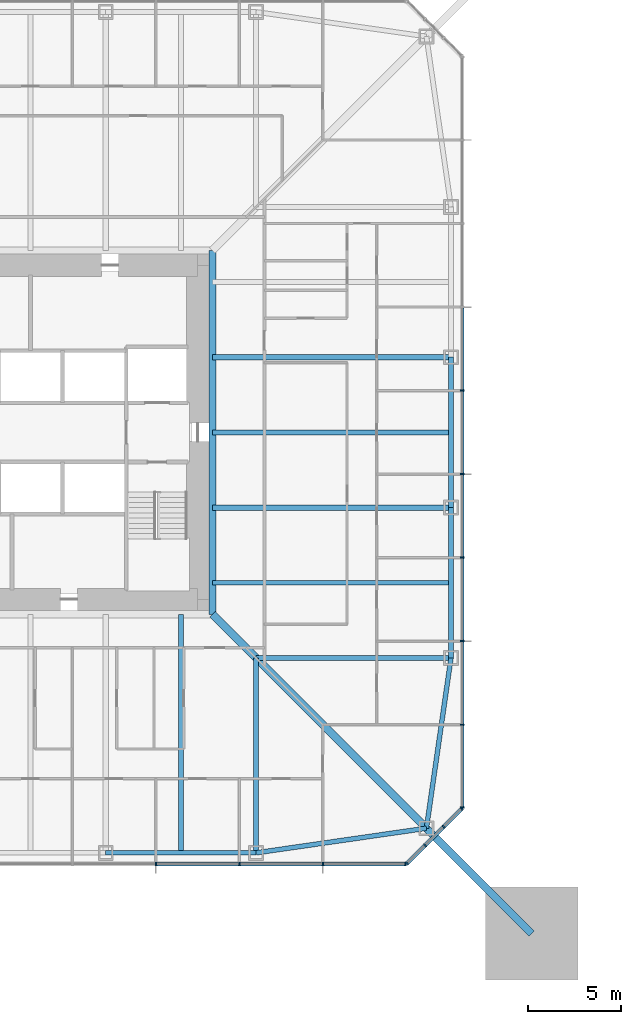
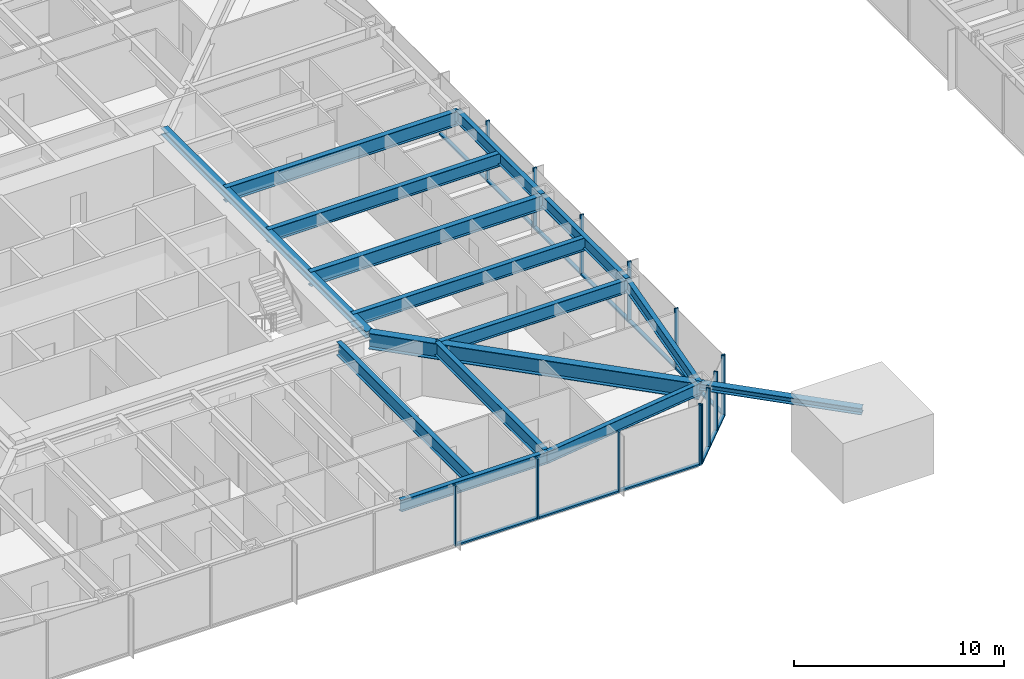
# One storey, part 5 of 26: 27 members, 14 beams, 3 elements without a shape of their own.
"""IFC4 building model written with IfcOpenShell, lengths in metres."""

from ifc_helpers import new_model, si_unit, direction, frame, origin, origin_2d, place, context, subcontext, project, spatial, rectangle, i_section, extrude, material, material_profile, profile_set, type_object, element, aggregate, save


model = new_model("IFC4")

# Units and contexts
model_context = context("Model", 3, precision=1e-05, world=origin(), true_north=direction((0.0, 1.0)))
body_context = subcontext(model_context, "Body", "Model", "MODEL_VIEW")
ifc_project = project(units=[si_unit("LENGTHUNIT", "METRE"), si_unit("AREAUNIT", "SQUARE_METRE"), si_unit("VOLUMEUNIT", "CUBIC_METRE"), si_unit("PLANEANGLEUNIT", "RADIAN"), si_unit("MASSUNIT", "GRAM", prefix="KILO")], contexts=[model_context])

# Site, building, storey
site_placement = place(None, origin())
site = spatial("IfcSite", under=ifc_project, at=site_placement, CompositionType="ELEMENT")
building_placement = place(site_placement, origin())
building = spatial("IfcBuilding", under=site, at=building_placement, Name="Iwan Alto Co-Living Towers", CompositionType="ELEMENT")
storey_placement = place(building_placement, frame((0.0, 0.0, 67.5)))
storey = spatial("IfcBuildingStorey", under=building, at=storey_placement, Name="L18", CompositionType="ELEMENT", Elevation=67.5)

# Curtain wall, members
ifc_material_1 = material(Name="Bronze aluminium unitised frame", Category="aluminium")
curtain_wall_type_1 = type_object("IfcCurtainWallType", Name="CURTAIN WALL CW-A", PredefinedType="NOTDEFINED", material=ifc_material_1)
curtain_wall_1_placement = place(storey_placement, origin())
curtain_wall_1 = element("IfcCurtainWall", 1, at=curtain_wall_1_placement, inside=storey, type_object=curtain_wall_type_1, Name="T1 curtain wall S L18", PredefinedType="NOTDEFINED")
ifc_material_2 = material(Name="Aluminium 6063-T6 bronze anodised", Category="aluminium")
ifc_material_profile_1 = material_profile(ifc_material_2, rectangle(XDim=0.199951171875, YDim=0.080078125, at=origin_2d()), Name="AL 80X200")
ifc_profile_set_1 = profile_set([ifc_material_profile_1], Name="Aluminium 6063-T6 bronze anodised")
member_type_1 = type_object("IfcMemberType", Name="CW-A MULLION 80X200", PredefinedType="MULLION", material=ifc_profile_set_1)
member_1_placement = place(storey_placement, frame((6.75, -23.25, 0.0), z_axis=(0.0, 0.0, 1.0), x_axis=(0.0, 1.0, 0.0)))
member_1 = element("IfcMember", 2, at=member_1_placement, type_object=member_type_1, Name="CW-A mullion 7", PredefinedType="MULLION", context=body_context, shape_type="SweptSolid", body=[
    extrude(rectangle(XDim=0.199951171875, YDim=0.080078125, at=origin_2d()), origin(), (0.0, 0.0, 1.0), 3.5),
])
member_2_placement = place(storey_placement, frame((11.25, -23.25, 0.0), z_axis=(0.0, 0.0, 1.0), x_axis=(0.0, 1.0, 0.0)))
member_2 = element("IfcMember", 3, at=member_2_placement, type_object=member_type_1, Name="CW-A mullion 8", PredefinedType="MULLION", context=body_context, shape_type="SweptSolid", body=[
    extrude(rectangle(XDim=0.199951171875, YDim=0.080078125, at=origin_2d()), origin(), (0.0, 0.0, 1.0), 3.5),
])
member_3_placement = place(storey_placement, frame((15.75, -23.25, 0.0), z_axis=(0.0, 0.0, 1.0), x_axis=(0.0, 1.0, 0.0)))
member_3 = element("IfcMember", 4, at=member_3_placement, type_object=member_type_1, Name="CW-A mullion 9", PredefinedType="MULLION", context=body_context, shape_type="SweptSolid", body=[
    extrude(rectangle(XDim=0.199951171875, YDim=0.080078125, at=origin_2d()), origin(), (0.0, 0.0, 1.0), 3.5),
])
member_4_placement = place(storey_placement, frame((20.2099609375, -23.25, 0.0), z_axis=(0.0, 0.0, 1.0), x_axis=(0.0, 1.0, 0.0)))
member_4 = element("IfcMember", 5, at=member_4_placement, type_object=member_type_1, Name="CW-A mullion 10", PredefinedType="MULLION", context=body_context, shape_type="SweptSolid", body=[
    extrude(rectangle(XDim=0.199951171875, YDim=0.080078125, at=origin_2d()), origin(), (0.0, 0.0, 1.0), 3.5),
])

curtain_wall_2_placement = place(storey_placement, origin())
curtain_wall_2 = element("IfcCurtainWall", 6, at=curtain_wall_2_placement, inside=storey, type_object=curtain_wall_type_1, Name="T1 curtain wall E L18", PredefinedType="NOTDEFINED")
member_5_placement = place(storey_placement, frame((23.25, -20.2099609375, 0.0), z_axis=(0.0, 0.0, 1.0), x_axis=(-1.0, 0.0, 0.0)))
member_5 = element("IfcMember", 7, at=member_5_placement, type_object=member_type_1, Name="CW-A mullion 1", PredefinedType="MULLION", context=body_context, shape_type="SweptSolid", body=[
    extrude(rectangle(XDim=0.199951171875, YDim=0.080078125, at=origin_2d()), origin(), (0.0, 0.0, 1.0), 3.5),
])
member_6_placement = place(storey_placement, frame((23.25, -15.75, 0.0), z_axis=(0.0, 0.0, 1.0), x_axis=(-1.0, 0.0, 0.0)))
member_6 = element("IfcMember", 8, at=member_6_placement, type_object=member_type_1, Name="CW-A mullion 2", PredefinedType="MULLION", context=body_context, shape_type="SweptSolid", body=[
    extrude(rectangle(XDim=0.199951171875, YDim=0.080078125, at=origin_2d()), origin(), (0.0, 0.0, 1.0), 3.5),
])
member_7_placement = place(storey_placement, frame((23.25, -11.25, 0.0), z_axis=(0.0, 0.0, 1.0), x_axis=(-1.0, 0.0, 0.0)))
member_7 = element("IfcMember", 9, at=member_7_placement, type_object=member_type_1, Name="CW-A mullion 3", PredefinedType="MULLION", context=body_context, shape_type="SweptSolid", body=[
    extrude(rectangle(XDim=0.199951171875, YDim=0.080078125, at=origin_2d()), origin(), (0.0, 0.0, 1.0), 3.5),
])
member_8_placement = place(storey_placement, frame((23.25, -6.75, 0.0), z_axis=(0.0, 0.0, 1.0), x_axis=(-1.0, 0.0, 0.0)))
member_8 = element("IfcMember", 10, at=member_8_placement, type_object=member_type_1, Name="CW-A mullion 4", PredefinedType="MULLION", context=body_context, shape_type="SweptSolid", body=[
    extrude(rectangle(XDim=0.199951171875, YDim=0.080078125, at=origin_2d()), origin(), (0.0, 0.0, 1.0), 3.5),
])
member_9_placement = place(storey_placement, frame((23.25, -2.25, 0.0), z_axis=(0.0, 0.0, 1.0), x_axis=(-1.0, 0.0, 0.0)))
member_9 = element("IfcMember", 11, at=member_9_placement, type_object=member_type_1, Name="CW-A mullion 5", PredefinedType="MULLION", context=body_context, shape_type="SweptSolid", body=[
    extrude(rectangle(XDim=0.199951171875, YDim=0.080078125, at=origin_2d()), origin(), (0.0, 0.0, 1.0), 3.5),
])
member_10_placement = place(storey_placement, frame((23.25, 2.25, 0.0), z_axis=(0.0, 0.0, 1.0), x_axis=(-1.0, 0.0, 0.0)))
member_10 = element("IfcMember", 12, at=member_10_placement, type_object=member_type_1, Name="CW-A mullion 6", PredefinedType="MULLION", context=body_context, shape_type="SweptSolid", body=[
    extrude(rectangle(XDim=0.199951171875, YDim=0.080078125, at=origin_2d()), origin(), (0.0, 0.0, 1.0), 3.5),
])

# Member
ifc_material_3 = material(Name="Aluminium 6063-T6 bronze anodised", Category="aluminium")
ifc_material_profile_2 = material_profile(ifc_material_3, rectangle(XDim=0.199951171875, YDim=0.10009765625, at=origin_2d()), Name="AL 200X100")
ifc_profile_set_2 = profile_set([ifc_material_profile_2], Name="Aluminium 6063-T6 bronze anodised")
member_type_2 = type_object("IfcMemberType", Name="CW-A TRANSOM 200X100", PredefinedType="USERDEFINED", material=ifc_profile_set_2)
member_11_placement = place(storey_placement, frame((6.7900390625, -23.25, 0.050048828125), z_axis=(1.0, 0.0, 0.0), x_axis=(0.0, 1.0, 0.0)))
member_11 = element("IfcMember", 13, at=member_11_placement, type_object=member_type_2, Name="CW-A transom 7.1", ObjectType="TRANSOM", PredefinedType="USERDEFINED", context=body_context, shape_type="SweptSolid", body=[
    extrude(rectangle(XDim=0.199951171875, YDim=0.10009765625, at=origin_2d()), origin(), (0.0, 0.0, 1.0), 4.419921875),
])

member_12_placement = place(storey_placement, frame((11.2900390625, -23.25, 0.050048828125), z_axis=(1.0, 0.0, 0.0), x_axis=(0.0, 1.0, 0.0)))
member_12 = element("IfcMember", 14, at=member_12_placement, type_object=member_type_2, Name="CW-A transom 8.1", ObjectType="TRANSOM", PredefinedType="USERDEFINED", context=body_context, shape_type="SweptSolid", body=[
    extrude(rectangle(XDim=0.199951171875, YDim=0.10009765625, at=origin_2d()), origin(), (0.0, 0.0, 1.0), 4.419921875),
])

member_13_placement = place(storey_placement, frame((15.7900390625, -23.25, 0.050048828125), z_axis=(1.0, 0.0, 0.0), x_axis=(0.0, 1.0, 0.0)))
member_13 = element("IfcMember", 15, at=member_13_placement, type_object=member_type_2, Name="CW-A transom 9.1", ObjectType="TRANSOM", PredefinedType="USERDEFINED", context=body_context, shape_type="SweptSolid", body=[
    extrude(rectangle(XDim=0.199951171875, YDim=0.10009765625, at=origin_2d()), origin(), (0.0, 0.0, 1.0), 4.3798828125),
])

aggregate(curtain_wall_1, [member_1, member_2, member_3, member_4, member_11, member_12, member_13])

member_14_placement = place(storey_placement, frame((23.25, -20.169921875, 0.050048828125), z_axis=(0.0, 1.0, 0.0), x_axis=(-1.0, 0.0, 0.0)))
member_14 = element("IfcMember", 16, at=member_14_placement, type_object=member_type_2, Name="CW-A transom 1.1", ObjectType="TRANSOM", PredefinedType="USERDEFINED", context=body_context, shape_type="SweptSolid", body=[
    extrude(rectangle(XDim=0.199951171875, YDim=0.10009765625, at=origin_2d()), origin(), (0.0, 0.0, 1.0), 4.3798828125),
])

member_15_placement = place(storey_placement, frame((23.25, -15.7099609375, 0.050048828125), z_axis=(0.0, 1.0, 0.0), x_axis=(-1.0, 0.0, 0.0)))
member_15 = element("IfcMember", 17, at=member_15_placement, type_object=member_type_2, Name="CW-A transom 2.1", ObjectType="TRANSOM", PredefinedType="USERDEFINED", context=body_context, shape_type="SweptSolid", body=[
    extrude(rectangle(XDim=0.199951171875, YDim=0.10009765625, at=origin_2d()), origin(), (0.0, 0.0, 1.0), 4.419921875),
])

member_16_placement = place(storey_placement, frame((23.25, -11.2099609375, 0.050048828125), z_axis=(0.0, 1.0, 0.0), x_axis=(-1.0, 0.0, 0.0)))
member_16 = element("IfcMember", 18, at=member_16_placement, type_object=member_type_2, Name="CW-A transom 3.1", ObjectType="TRANSOM", PredefinedType="USERDEFINED", context=body_context, shape_type="SweptSolid", body=[
    extrude(rectangle(XDim=0.199951171875, YDim=0.10009765625, at=origin_2d()), origin(), (0.0, 0.0, 1.0), 4.419921875),
])

member_17_placement = place(storey_placement, frame((23.25, -6.7099609375, 0.050048828125), z_axis=(0.0, 1.0, 0.0), x_axis=(-1.0, 0.0, 0.0)))
member_17 = element("IfcMember", 19, at=member_17_placement, type_object=member_type_2, Name="CW-A transom 4.1", ObjectType="TRANSOM", PredefinedType="USERDEFINED", context=body_context, shape_type="SweptSolid", body=[
    extrude(rectangle(XDim=0.199951171875, YDim=0.10009765625, at=origin_2d()), origin(), (0.0, 0.0, 1.0), 4.419921875),
])

member_18_placement = place(storey_placement, frame((23.25, -2.2099609375, 0.050048828125), z_axis=(0.0, 1.0, 0.0), x_axis=(-1.0, 0.0, 0.0)))
member_18 = element("IfcMember", 20, at=member_18_placement, type_object=member_type_2, Name="CW-A transom 5.1", ObjectType="TRANSOM", PredefinedType="USERDEFINED", context=body_context, shape_type="SweptSolid", body=[
    extrude(rectangle(XDim=0.199951171875, YDim=0.10009765625, at=origin_2d()), origin(), (0.0, 0.0, 1.0), 4.419921875),
])

member_19_placement = place(storey_placement, frame((23.25, 2.2900390625, 0.050048828125), z_axis=(0.0, 1.0, 0.0), x_axis=(-1.0, 0.0, 0.0)))
member_19 = element("IfcMember", 21, at=member_19_placement, type_object=member_type_2, Name="CW-A transom 6.1", ObjectType="TRANSOM", PredefinedType="USERDEFINED", context=body_context, shape_type="SweptSolid", body=[
    extrude(rectangle(XDim=0.199951171875, YDim=0.10009765625, at=origin_2d()), origin(), (0.0, 0.0, 1.0), 4.419921875),
])

aggregate(curtain_wall_2, [member_5, member_6, member_7, member_8, member_9, member_10, member_14, member_15, member_16, member_17, member_18, member_19])

# Curtain wall, members
ifc_material_4 = material(Name="Bronze aluminium unitised frame", Category="aluminium")
curtain_wall_type_2 = type_object("IfcCurtainWallType", Name="CURTAIN WALL CW-B", PredefinedType="NOTDEFINED", material=ifc_material_4)
curtain_wall_3_placement = place(storey_placement, origin())
curtain_wall_3 = element("IfcCurtainWall", 22, at=curtain_wall_3_placement, inside=storey, type_object=curtain_wall_type_2, Name="T1 chamfer curtain wall SE L18", PredefinedType="NOTDEFINED")
ifc_material_5 = material(Name="Aluminium 6063-T6 bronze anodised", Category="aluminium")
ifc_material_profile_3 = material_profile(ifc_material_5, rectangle(XDim=0.199951171875, YDim=0.080078125, at=origin_2d()), Name="AL 80X200")
ifc_profile_set_3 = profile_set([ifc_material_profile_3], Name="Aluminium 6063-T6 bronze anodised")
member_type_3 = type_object("IfcMemberType", Name="CW-B MULLION 80X200", PredefinedType="MULLION", material=ifc_profile_set_3)
member_20_placement = place(storey_placement, frame((20.2783203125, -23.2216796875, 0.0), z_axis=(0.0, 0.0, 1.0), x_axis=(-0.707106781187, 0.707106781187, 0.0)))
member_20 = element("IfcMember", 23, at=member_20_placement, type_object=member_type_3, Name="CW-B mullion 1", PredefinedType="MULLION", context=body_context, shape_type="SweptSolid", body=[
    extrude(rectangle(XDim=0.199951171875, YDim=0.080078125, at=origin_2d()), origin(), (0.0, 0.0, 1.0), 3.5),
])
member_21_placement = place(storey_placement, frame((21.25, -22.25, 0.0), z_axis=(0.0, 0.0, 1.0), x_axis=(-0.707106781187, 0.707106781187, 0.0)))
member_21 = element("IfcMember", 24, at=member_21_placement, type_object=member_type_3, Name="CW-B mullion 2", PredefinedType="MULLION", context=body_context, shape_type="SweptSolid", body=[
    extrude(rectangle(XDim=0.199951171875, YDim=0.080078125, at=origin_2d()), origin(), (0.0, 0.0, 1.0), 3.5),
])
member_22_placement = place(storey_placement, frame((22.25, -21.25, 0.0), z_axis=(0.0, 0.0, 1.0), x_axis=(-0.707106781187, 0.707106781187, 0.0)))
member_22 = element("IfcMember", 25, at=member_22_placement, type_object=member_type_3, Name="CW-B mullion 3", PredefinedType="MULLION", context=body_context, shape_type="SweptSolid", body=[
    extrude(rectangle(XDim=0.199951171875, YDim=0.080078125, at=origin_2d()), origin(), (0.0, 0.0, 1.0), 3.5),
])
member_23_placement = place(storey_placement, frame((23.2216796875, -20.2783203125, 0.0), z_axis=(0.0, 0.0, 1.0), x_axis=(-0.707106781187, 0.707106781187, 0.0)))
member_23 = element("IfcMember", 26, at=member_23_placement, type_object=member_type_3, Name="CW-B mullion 4", PredefinedType="MULLION", context=body_context, shape_type="SweptSolid", body=[
    extrude(rectangle(XDim=0.199951171875, YDim=0.080078125, at=origin_2d()), origin(), (0.0, 0.0, 1.0), 3.5),
])
ifc_material_6 = material(Name="Aluminium 6063-T6 bronze anodised", Category="aluminium")
ifc_material_profile_4 = material_profile(ifc_material_6, rectangle(XDim=0.199951171875, YDim=0.10009765625, at=origin_2d()), Name="AL 200X100")
ifc_profile_set_4 = profile_set([ifc_material_profile_4], Name="Aluminium 6063-T6 bronze anodised")
member_type_4 = type_object("IfcMemberType", Name="CW-B TRANSOM 200X100", PredefinedType="USERDEFINED", material=ifc_profile_set_4)
member_24_placement = place(storey_placement, frame((20.306640625, -23.193359375, 0.050048828125), z_axis=(0.707106781187, 0.707106781187, 0.0), x_axis=(-0.707106781187, 0.707106781187, 0.0)))
member_24 = element("IfcMember", 27, at=member_24_placement, type_object=member_type_4, Name="CW-B transom 1.1", ObjectType="TRANSOM", PredefinedType="USERDEFINED", context=body_context, shape_type="SweptSolid", body=[
    extrude(rectangle(XDim=0.199951171875, YDim=0.10009765625, at=origin_2d()), origin(), (0.0, 0.0, 1.0), 1.2939453125),
])
member_25_placement = place(storey_placement, frame((21.2783203125, -22.2216796875, 0.050048828125), z_axis=(0.707106781187, 0.707106781187, 0.0), x_axis=(-0.707106781187, 0.707106781187, 0.0)))
member_25 = element("IfcMember", 28, at=member_25_placement, type_object=member_type_4, Name="CW-B transom 2.1", ObjectType="TRANSOM", PredefinedType="USERDEFINED", context=body_context, shape_type="SweptSolid", body=[
    extrude(rectangle(XDim=0.199951171875, YDim=0.10009765625, at=origin_2d()), origin(), (0.0, 0.0, 1.0), 1.334228515625),
])
member_26_placement = place(storey_placement, frame((22.2783203125, -21.2216796875, 0.050048828125), z_axis=(0.707106781187, 0.707106781187, 0.0), x_axis=(-0.707106781187, 0.707106781187, 0.0)))
member_26 = element("IfcMember", 29, at=member_26_placement, type_object=member_type_4, Name="CW-B transom 3.1", ObjectType="TRANSOM", PredefinedType="USERDEFINED", context=body_context, shape_type="SweptSolid", body=[
    extrude(rectangle(XDim=0.199951171875, YDim=0.10009765625, at=origin_2d()), origin(), (0.0, 0.0, 1.0), 1.2939453125),
])
aggregate(curtain_wall_3, [member_20, member_21, member_22, member_23, member_24, member_25, member_26])

# Beams
ifc_material_7 = material(Name="Steel ASTM A992 Gr 50", Category="steel")
ifc_material_profile_5 = material_profile(ifc_material_7, i_section(OverallWidth=0.398681640625, OverallDepth=0.385986328125, WebThickness=0.02099609375, FlangeThickness=0.033203125, at=origin_2d()), Name="W14X176")
ifc_profile_set_5 = profile_set([ifc_material_profile_5], Name="Steel ASTM A992 Gr 50")
beam_type_1 = type_object("IfcBeamType", Name="T1 CORE LEDGER BEAM W14X176", PredefinedType="BEAM", material=ifc_profile_set_5)
beam_1_placement = place(storey_placement, frame((9.79931640625, -9.79931640625, 3.076904296875), z_axis=(0.0, 1.0, 0.0), x_axis=(-1.0, 0.0, 0.0)))
element("IfcBeam", 30, at=beam_1_placement, inside=storey, type_object=beam_type_1, Name="T1 core ledger beam E L19", PredefinedType="BEAM", context=body_context, shape_type="SweptSolid", body=[
    extrude(i_section(OverallWidth=0.398681640625, OverallDepth=0.385986328125, WebThickness=0.02099609375, FlangeThickness=0.033203125, at=origin_2d()), origin(), (0.0, 0.0, 1.0), 19.5986328125),
])
ifc_material_8 = material(Name="Steel ASTM A992 Gr 50", Category="steel")
ifc_material_profile_6 = material_profile(ifc_material_8, i_section(OverallWidth=0.419189453125, OverallDepth=0.927001953125, WebThickness=0.019287109375, FlangeThickness=0.031982421875, at=origin_2d()), Name="W36X231")
ifc_profile_set_6 = profile_set([ifc_material_profile_6], Name="Steel ASTM A992 Gr 50")
beam_type_2 = type_object("IfcBeamType", Name="T1 CORNER GIRDER W36X231", PredefinedType="BEAM", material=ifc_profile_set_6)
beam_2_placement = place(storey_placement, frame((21.32568359375, -21.32568359375, 2.806396484375), z_axis=(-0.707106781187, 0.707106781187, 0.0), x_axis=(-0.707106781187, -0.707106781187, 0.0)))
element("IfcBeam", 31, at=beam_2_placement, inside=storey, type_object=beam_type_2, Name="T1 corner girder CSE L19", PredefinedType="BEAM", context=body_context, shape_type="SweptSolid", body=[
    extrude(i_section(OverallWidth=0.419189453125, OverallDepth=0.927001953125, WebThickness=0.019287109375, FlangeThickness=0.031982421875, at=origin_2d()), origin(), (0.0, 0.0, 1.0), 16.30078125),
])
ifc_material_9 = material(Name="Steel ASTM A992 Gr 50", Category="steel")
ifc_material_profile_7 = material_profile(ifc_material_9, i_section(OverallWidth=0.25390625, OverallDepth=0.683349609375, WebThickness=0.012451171875, FlangeThickness=0.018798828125, at=origin_2d()), Name="W27X94")
ifc_profile_set_7 = profile_set([ifc_material_profile_7], Name="Steel ASTM A992 Gr 50")
beam_type_3 = type_object("IfcBeamType", Name="T1 EDGE BEAM W27X94", PredefinedType="BEAM", material=ifc_profile_set_7)
beam_3_placement = place(storey_placement, frame((4.050048828125, -22.64990234375, 2.928466796875), z_axis=(1.0, 0.0, 0.0), x_axis=(0.0, 1.0, 0.0)))
element("IfcBeam", 32, at=beam_3_placement, inside=storey, type_object=beam_type_3, Name="T1 edge beam S3 L19", PredefinedType="BEAM", context=body_context, shape_type="SweptSolid", body=[
    extrude(i_section(OverallWidth=0.25390625, OverallDepth=0.683349609375, WebThickness=0.012451171875, FlangeThickness=0.018798828125, at=origin_2d()), origin(), (0.0, 0.0, 1.0), 8.099853515625),
])
for number, where, z_axis, x_axis, name in (
    (33, (12.14990234375, -22.64990234375, 2.928466796875), (0.989746234347, 0.142836940589, 0.0), (-0.142836940589, 0.989746234347, 0.0), "T1 edge beam S4 L19"),
    (34, (21.32568359375, -21.32568359375, 2.928466796875), (0.142836940589, 0.989746234347, 0.0), (-0.989746234347, 0.142836940589, 0.0), "T1 edge beam CSE L19"),
):
    element("IfcBeam", number, at=place(storey_placement, frame(where, z_axis=z_axis, x_axis=x_axis)), inside=storey, type_object=beam_type_3, Name=name, PredefinedType="BEAM", context=body_context, shape_type="SweptSolid", body=[
        extrude(i_section(OverallWidth=0.25390625, OverallDepth=0.683349609375, WebThickness=0.012451171875, FlangeThickness=0.018798828125, at=origin_2d()), origin(), (0.0, 0.0, 1.0), 9.270751953125),
    ])
beam_4_placement = place(storey_placement, frame((22.64990234375, -12.14990234375, 2.928466796875), z_axis=(0.0, 1.0, 0.0), x_axis=(-1.0, 0.0, 0.0)))
element("IfcBeam", 35, at=beam_4_placement, inside=storey, type_object=beam_type_3, Name="T1 edge beam E1 L19", PredefinedType="BEAM", context=body_context, shape_type="SweptSolid", body=[
    extrude(i_section(OverallWidth=0.25390625, OverallDepth=0.683349609375, WebThickness=0.012451171875, FlangeThickness=0.018798828125, at=origin_2d()), origin(), (0.0, 0.0, 1.0), 8.099853515625),
])
beam_5_placement = place(storey_placement, frame((22.64990234375, -4.050048828125, 2.928466796875), z_axis=(0.0, 1.0, 0.0), x_axis=(-1.0, 0.0, 0.0)))
element("IfcBeam", 36, at=beam_5_placement, inside=storey, type_object=beam_type_3, Name="T1 edge beam E2 L19", PredefinedType="BEAM", context=body_context, shape_type="SweptSolid", body=[
    extrude(i_section(OverallWidth=0.25390625, OverallDepth=0.683349609375, WebThickness=0.012451171875, FlangeThickness=0.018798828125, at=origin_2d()), origin(), (0.0, 0.0, 1.0), 8.10009765625),
])

# Member
ifc_material_10 = material(Name="Steel ASTM A992 Gr 50", Category="steel")
ifc_material_profile_8 = material_profile(ifc_material_10, i_section(OverallWidth=0.393798828125, OverallDepth=0.3759765625, WebThickness=0.017333984375, FlangeThickness=0.027587890625, at=origin_2d()), Name="W14X145")
ifc_profile_set_8 = profile_set([ifc_material_profile_8], Name="Steel ASTM A992 Gr 50")
member_type_5 = type_object("IfcMemberType", Name="T1 MEGA COLUMN FLOOR TIE W14X145", PredefinedType="STRUT", material=ifc_profile_set_8)
member_27_placement = place(storey_placement, frame((27.0, -27.0, 3.08203125), z_axis=(-0.707106781187, 0.707106781187, 0.0), x_axis=(-0.707106781187, -0.707106781187, 0.0)))
element("IfcMember", 37, at=member_27_placement, inside=storey, type_object=member_type_5, Name="T1 mega column floor tie SE L19", PredefinedType="STRUT", context=body_context, shape_type="SweptSolid", body=[
    extrude(i_section(OverallWidth=0.393798828125, OverallDepth=0.3759765625, WebThickness=0.017333984375, FlangeThickness=0.027587890625, at=origin_2d()), origin(), (0.0, 0.0, 1.0), 8.024658203125),
])

# Beams
ifc_material_11 = material(Name="Steel ASTM A992 Gr 50", Category="steel")
ifc_material_profile_9 = material_profile(ifc_material_11, i_section(OverallWidth=0.2666015625, OverallDepth=0.761962890625, WebThickness=0.014404296875, FlangeThickness=0.021484375, at=origin_2d()), Name="W30X116")
ifc_profile_set_9 = profile_set([ifc_material_profile_9], Name="Steel ASTM A992 Gr 50")
beam_type_4 = type_object("IfcBeamType", Name="T1 RADIAL BEAM W30X116", PredefinedType="BEAM", material=ifc_profile_set_9)
for number, where, z_axis, x_axis, name in (
    (38, (12.14990234375, -22.64990234375, 2.888916015625), (0.0, 1.0, 0.0), (-1.0, 0.0, 0.0), "T1 radial beam S4 L19"),
    (39, (22.64990234375, -12.14990234375, 2.888916015625), (-1.0, 0.0, 0.0), (0.0, -1.0, 0.0), "T1 radial beam E1 L19"),
):
    element("IfcBeam", number, at=place(storey_placement, frame(where, z_axis=z_axis, x_axis=x_axis)), inside=storey, type_object=beam_type_4, Name=name, PredefinedType="BEAM", context=body_context, shape_type="SweptSolid", body=[
        extrude(i_section(OverallWidth=0.2666015625, OverallDepth=0.761962890625, WebThickness=0.014404296875, FlangeThickness=0.021484375, at=origin_2d()), origin(), (0.0, 0.0, 1.0), 10.5),
    ])
ifc_material_12 = material(Name="Steel ASTM A992 Gr 50", Category="steel")
ifc_material_profile_10 = material_profile(ifc_material_12, i_section(OverallWidth=0.2919921875, OverallDepth=0.8408203125, WebThickness=0.0146484375, FlangeThickness=0.021728515625, at=origin_2d()), Name="W33X130")
ifc_profile_set_10 = profile_set([ifc_material_profile_10], Name="Steel ASTM A992 Gr 50")
beam_type_5 = type_object("IfcBeamType", Name="T1 RADIAL BEAM W33X130", PredefinedType="BEAM", material=ifc_profile_set_10)
for number, where, z_axis, x_axis, name in (
    (40, (22.64990234375, -4.050048828125, 2.849609375), (-1.0, 0.0, 0.0), (0.0, -1.0, 0.0), "T1 radial beam E2 L19"),
    (41, (22.64990234375, 4.050048828125, 2.849609375), (-1.0, 0.0, 0.0), (0.0, -1.0, 0.0), "T1 radial beam E3 L19"),
):
    element("IfcBeam", number, at=place(storey_placement, frame(where, z_axis=z_axis, x_axis=x_axis)), inside=storey, type_object=beam_type_5, Name=name, PredefinedType="BEAM", context=body_context, shape_type="SweptSolid", body=[
        extrude(i_section(OverallWidth=0.2919921875, OverallDepth=0.8408203125, WebThickness=0.0146484375, FlangeThickness=0.021728515625, at=origin_2d()), origin(), (0.0, 0.0, 1.0), 12.8505859375),
    ])
ifc_material_13 = material(Name="Steel ASTM A992 Gr 50", Category="steel")
ifc_material_profile_11 = material_profile(ifc_material_13, i_section(OverallWidth=0.2666015625, OverallDepth=0.761962890625, WebThickness=0.014404296875, FlangeThickness=0.021484375, at=origin_2d()), Name="W30X116")
ifc_profile_set_11 = profile_set([ifc_material_profile_11], Name="Steel ASTM A992 Gr 50")
beam_type_6 = type_object("IfcBeamType", Name="T1 SECONDARY BEAM W30X116", PredefinedType="JOIST", material=ifc_profile_set_11)
for number, where, z_axis, x_axis, name in (
    (42, (8.10009765625, -22.64990234375, 2.888916015625), (0.0, 1.0, 0.0), (-1.0, 0.0, 0.0), "T1 secondary beam S3 L19"),
    (43, (22.64990234375, -8.10009765625, 2.888916015625), (-1.0, 0.0, 0.0), (0.0, -1.0, 0.0), "T1 secondary beam E1 L19"),
    (44, (22.64990234375, 0.0, 2.888916015625), (-1.0, 0.0, 0.0), (0.0, -1.0, 0.0), "T1 secondary beam E2 L19"),
):
    element("IfcBeam", number, at=place(storey_placement, frame(where, z_axis=z_axis, x_axis=x_axis)), inside=storey, type_object=beam_type_6, Name=name, PredefinedType="JOIST", context=body_context, shape_type="SweptSolid", body=[
        extrude(i_section(OverallWidth=0.2666015625, OverallDepth=0.761962890625, WebThickness=0.014404296875, FlangeThickness=0.021484375, at=origin_2d()), origin(), (0.0, 0.0, 1.0), 12.8505859375),
    ])

save(model, "model.ifc")
